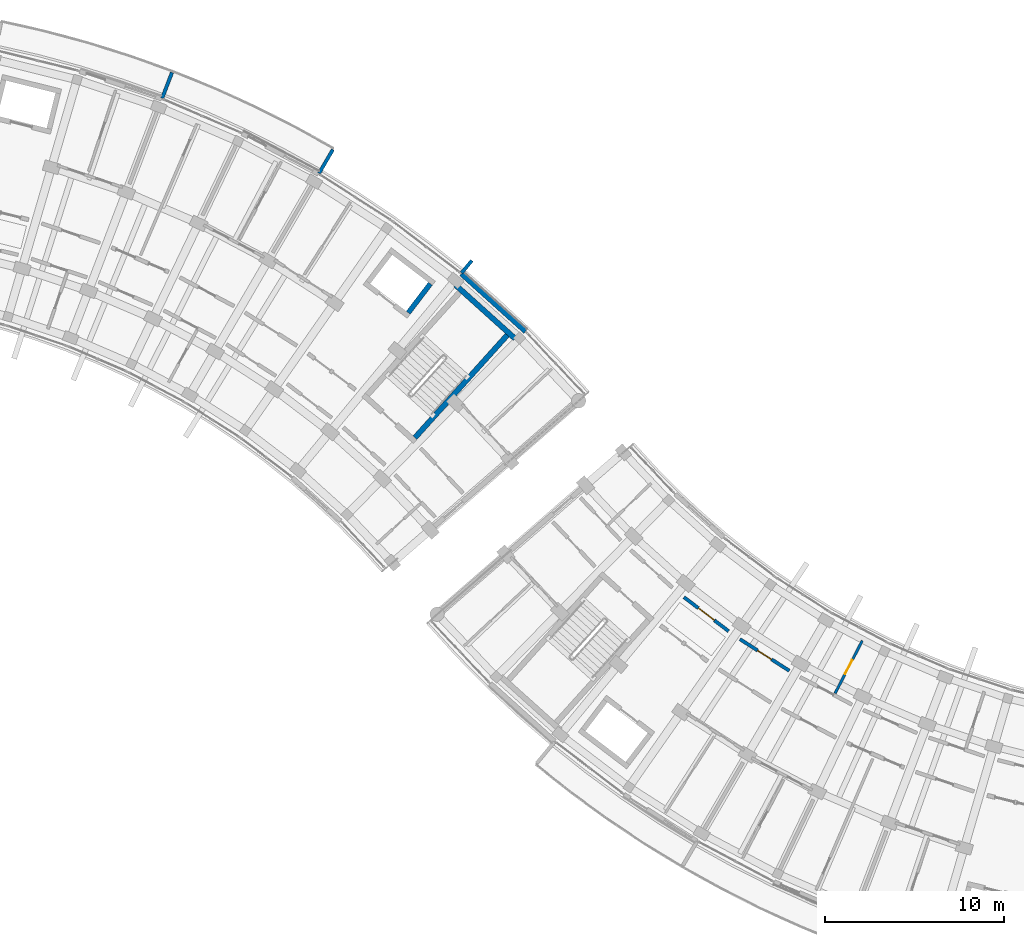
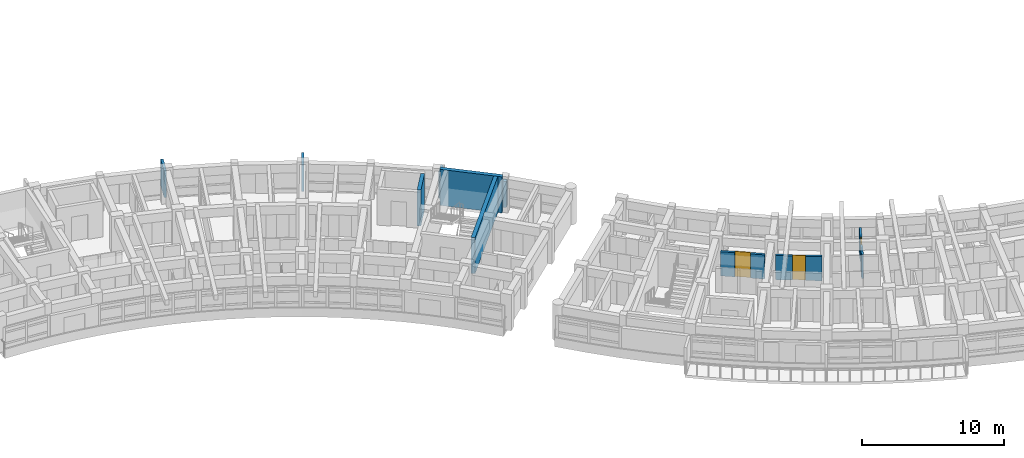
# One storey, part 51 of 70: 10 walls, 3 doors, 3 openings.
"""IFC4 building model written with IfcOpenShell, lengths in metres."""

from ifc_helpers import new_model, si_unit, direction, frame, frame_2d, origin, place, context, subcontext, project, spatial, rectangle, extrude, material, layer, layer_set, type_object, element, fill, save


model = new_model("IFC4")

# Units and contexts
model_context = context("Model", 3, precision=1e-05, world=origin(), true_north=direction((0.0, 1.0)))
body_context = subcontext(model_context, "Body", "Model", "MODEL_VIEW")
ifc_project = project(units=[si_unit("LENGTHUNIT", "METRE"), si_unit("AREAUNIT", "SQUARE_METRE"), si_unit("VOLUMEUNIT", "CUBIC_METRE"), si_unit("PLANEANGLEUNIT", "RADIAN"), si_unit("MASSUNIT", "GRAM", prefix="KILO")], contexts=[model_context])

# Site, building, storey
site_placement = place(None, origin())
site = spatial("IfcSite", under=ifc_project, at=site_placement, CompositionType="ELEMENT")
building_placement = place(site_placement, origin())
building = spatial("IfcBuilding", under=site, at=building_placement, Name="Zimvara Arc Housing Community", CompositionType="ELEMENT")
storey_placement = place(building_placement, frame((0.0, 0.0, 8.10009765625)))
storey = spatial("IfcBuildingStorey", under=building, at=storey_placement, Name="L02", CompositionType="ELEMENT", Elevation=8.10009765625)

# Walls
ifc_material_1 = material(Name="Board-Marked Fair-Faced Concrete C35/45", Category="concrete")
ifc_layer_1 = layer(ifc_material_1, 0.195068359375)
ifc_layer_set_1 = layer_set([ifc_layer_1], Name="Board-Marked Fair-Faced Concrete C35/45")
wall_type_1 = type_object("IfcWallType", Name="EWL-PARA-195", PredefinedType="PARAPET", material=ifc_layer_set_1)
for number, where, z_axis, x_axis, name in (
    (1, (66.216796875, 100.0029296875, 0.0), (0.0, 0.0, 1.0), (0.356957296461, 0.934120703391, 0.0), "finwall:blkB:L02:out:b4"),
    (2, (74.961181640625, 95.8134765625, 0.0), (0.0, 0.0, 1.0), (0.504228145431, 0.863570481985, 0.0), "finwall:blkB:L02:out:b6"),
):
    element("IfcWall", number, at=place(storey_placement, frame(where, z_axis=z_axis, x_axis=x_axis)), inside=storey, type_object=wall_type_1, Name=name, PredefinedType="PARAPET", context=body_context, shape_type="SweptSolid", body=[
        extrude(rectangle(XDim=1.530029296875, YDim=0.195068359375, at=frame_2d((0.76513671875, 0.0))), origin(), (0.0, 0.0, 1.0), 2.25),
    ])
wall_1_placement = place(storey_placement, frame((82.90771484375, 90.25732421875, 0.0), z_axis=(0.0, 0.0, 1.0), x_axis=(0.637967316825, 0.770063440674, 0.0)))
element("IfcWall", 3, at=wall_1_placement, inside=storey, type_object=wall_type_1, Name="finwall:blkB:L02:out:b8", PredefinedType="PARAPET", context=body_context, shape_type="SweptSolid", body=[
    extrude(rectangle(XDim=0.900146484375, YDim=0.195068359375, at=frame_2d((0.4501953125, 0.0))), origin(), (0.0, 0.0, 1.0), 2.25),
])
ifc_material_2 = material(Name="Board-Marked Fair-Faced Concrete C35/45", Category="concrete")
ifc_layer_2 = layer(ifc_material_2, 0.281982421875)
ifc_layer_set_2 = layer_set([ifc_layer_2], Name="Board-Marked Fair-Faced Concrete C35/45")
wall_type_2 = type_object("IfcWallType", Name="EWL-VAR-24", PredefinedType="SOLIDWALL", material=ifc_layer_set_2)
wall_2_placement = place(storey_placement, frame((82.89697265625, 90.21337890625, 0.0), z_axis=(0.0, 0.0, 1.0), x_axis=(0.743387539862, -0.668860946369, 0.0)))
element("IfcWall", 4, at=wall_2_placement, inside=storey, type_object=wall_type_2, Name="ewall:blkB:L02:out:b8", PredefinedType="SOLIDWALL", context=body_context, shape_type="SweptSolid", body=[
    extrude(rectangle(XDim=4.80908203125, YDim=0.281982421875, at=frame_2d((2.404541015625, 0.0))), origin(), (0.0, 0.0, 1.0), 2.25),
])

# Wall, opening, door
ifc_material_3 = material(Name="Concrete C35/45", Category="concrete")
ifc_layer_3 = layer(ifc_material_3, 0.18994140625)
ifc_layer_set_3 = layer_set([ifc_layer_3], Name="Concrete C35/45")
wall_type_3 = type_object("IfcWallType", Name="IWL-CORR-190", PredefinedType="SOLIDWALL", material=ifc_layer_set_3)
wall_3_placement = place(storey_placement, frame((95.30908203125, 72.18017578125, 0.0), z_axis=(0.0, 0.0, 1.0), x_axis=(0.795463961918, -0.606000895453, 0.0)))
wall_3 = element("IfcWall", 5, at=wall_3_placement, inside=storey, type_object=wall_type_3, Name="iwall:blkC:L02:ra_div:b2", PredefinedType="SOLIDWALL", context=body_context, shape_type="SweptSolid", body=[
    extrude(rectangle(XDim=3.128662109375, YDim=0.18994140625, at=frame_2d((1.564453125, 0.0))), origin(), (0.0, 0.0, 1.0), 2.079833984375),
])
opening_1_placement = place(wall_3_placement, frame((1.00439453125, 0.0, 0.0)))
opening_1 = element("IfcOpeningElement", 6, at=opening_1_placement, cuts=wall_3, Name="Opening D07", PredefinedType="OPENING", context=body_context, shape_type="SweptSolid", body=[
    extrude(rectangle(XDim=1.1201171875, YDim=2.14990234375, at=frame_2d((0.56005859375, 1.074951171875))), frame((0.0, 0.10498046875, 0.0), z_axis=(0.0, -1.0, 0.0), x_axis=(1.0, 0.0, 0.0)), (0.0, 0.0, 1.0), 0.2099609375),
])
ifc_material_4 = material(Name="Mozambican Hardwood", Category="wood")
door_type_1 = type_object("IfcDoorType", Name="IDR-AMN-1120x2150", OperationType="NOTDEFINED", PredefinedType="DOOR", material=ifc_material_4)
door_1_placement = place(opening_1_placement, origin())
door_1 = element("IfcDoor", 7, at=door_1_placement, inside=storey, type_object=door_type_1, Name="idoor:blkC:L02:ra_d:b2", OperationType="SINGLE_SWING_RIGHT", OverallHeight=2.14990234375, OverallWidth=1.1201171875, PredefinedType="DOOR", context=body_context, shape_type="SweptSolid", body=[
    extrude(rectangle(XDim=1.1201171875, YDim=2.14990234375, at=frame_2d((0.56005859375, 1.074951171875))), frame((0.0, 0.02490234375, 0.0), z_axis=(0.0, -1.0, 0.0), x_axis=(1.0, 0.0, 0.0)), (0.0, 0.0, 1.0), 0.050048828125),
])
fill(opening_1, door_1)

wall_4_placement = place(storey_placement, frame((98.4267578125, 69.841064453125, 0.0), z_axis=(0.0, 0.0, 1.0), x_axis=(0.842280895761, -0.539038860043, 0.0)))
wall_4 = element("IfcWall", 8, at=wall_4_placement, inside=storey, type_object=wall_type_3, Name="iwall:blkC:L02:corr_in:b3", PredefinedType="SOLIDWALL", context=body_context, shape_type="SweptSolid", body=[
    extrude(rectangle(XDim=3.268798828125, YDim=0.18994140625, at=frame_2d((1.63427734375, 0.0))), origin(), (0.0, 0.0, 1.0), 2.079833984375),
])
opening_2_placement = place(wall_4_placement, frame((1.17431640625, 0.0, 0.0)))
opening_2 = element("IfcOpeningElement", 9, at=opening_2_placement, cuts=wall_4, Name="Opening D02", PredefinedType="OPENING", context=body_context, shape_type="SweptSolid", body=[
    extrude(rectangle(XDim=0.919921875, YDim=2.10009765625, at=frame_2d((0.4599609375, 1.050048828125))), frame((0.0, 0.10498046875, 0.0), z_axis=(0.0, -1.0, 0.0), x_axis=(1.0, 0.0, 0.0)), (0.0, 0.0, 1.0), 0.2099609375),
])
ifc_material_5 = material(Name="Mozambican Hardwood", Category="wood")
door_type_2 = type_object("IfcDoorType", Name="IDR-RM-0920x2100", OperationType="NOTDEFINED", PredefinedType="DOOR", material=ifc_material_5)
door_2_placement = place(opening_2_placement, origin())
door_2 = element("IfcDoor", 10, at=door_2_placement, inside=storey, type_object=door_type_2, Name="idoor:blkC:L02:in_rm:b3", OperationType="SINGLE_SWING_RIGHT", OverallHeight=2.10009765625, OverallWidth=0.919921875, PredefinedType="DOOR", context=body_context, shape_type="SweptSolid", body=[
    extrude(rectangle(XDim=0.919921875, YDim=2.10009765625, at=frame_2d((0.4599609375, 1.050048828125))), frame((0.0, 0.02490234375, 0.0), z_axis=(0.0, -1.0, 0.0), x_axis=(1.0, 0.0, 0.0)), (0.0, 0.0, 1.0), 0.050048828125),
])
fill(opening_2, door_2)

ifc_material_6 = material(Name="Painted Acoustic Plasterboard")
ifc_layer_4 = layer(ifc_material_6, 0.14501953125)
ifc_layer_set_4 = layer_set([ifc_layer_4], Name="Painted Acoustic Plasterboard")
wall_type_4 = type_object("IfcWallType", Name="IWL-WET-145", PredefinedType="PARTITIONING", material=ifc_layer_set_4)
wall_5_placement = place(storey_placement, frame((105.247314453125, 69.751708984375, 0.0), z_axis=(0.0, 0.0, 1.0), x_axis=(-0.459187433099, -0.888339406581, 0.0)))
wall_5 = element("IfcWall", 11, at=wall_5_placement, inside=storey, type_object=wall_type_4, Name="iwall:blkC:L02:ens:b4", PredefinedType="PARTITIONING", context=body_context, shape_type="SweptSolid", body=[
    extrude(rectangle(XDim=3.300048828125, YDim=0.14501953125, at=frame_2d((1.64990234375, 0.0))), origin(), (0.0, 0.0, 1.0), 2.079833984375),
])
opening_3_placement = place(wall_5_placement, frame((1.2099609375, 0.0, 0.0)))
opening_3 = element("IfcOpeningElement", 12, at=opening_3_placement, cuts=wall_5, Name="Opening D05", PredefinedType="OPENING", context=body_context, shape_type="SweptSolid", body=[
    extrude(rectangle(XDim=0.8798828125, YDim=2.10009765625, at=frame_2d((0.43994140625, 1.050048828125))), frame((0.0, 0.08251953125, 0.0), z_axis=(0.0, -1.0, 0.0), x_axis=(1.0, 0.0, 0.0)), (0.0, 0.0, 1.0), 0.1650390625),
])
ifc_material_7 = material(Name="Mozambican Hardwood", Category="wood")
door_type_3 = type_object("IfcDoorType", Name="IDR-WC-0880x2100", OperationType="NOTDEFINED", PredefinedType="DOOR", material=ifc_material_7)
door_3_placement = place(opening_3_placement, origin())
door_3 = element("IfcDoor", 13, at=door_3_placement, inside=storey, type_object=door_type_3, Name="idoor:blkC:L02:ens_d:b4", OperationType="SINGLE_SWING_RIGHT", OverallHeight=2.10009765625, OverallWidth=0.8798828125, PredefinedType="DOOR", context=body_context, shape_type="SweptSolid", body=[
    extrude(rectangle(XDim=0.8798828125, YDim=2.10009765625, at=frame_2d((0.43994140625, 1.050048828125))), frame((0.0, 0.02490234375, 0.0), z_axis=(0.0, -1.0, 0.0), x_axis=(1.0, 0.0, 0.0)), (0.0, 0.0, 1.0), 0.050048828125),
])
fill(opening_3, door_3)

# Walls
ifc_material_8 = material(Name="Concrete C40/50", Category="concrete")
ifc_layer_5 = layer(ifc_material_8, 0.280029296875)
ifc_layer_set_5 = layer_set([ifc_layer_5], Name="Concrete C40/50")
wall_type_5 = type_object("IfcWallType", Name="WL-CORE-280", PredefinedType="SHEAR", material=ifc_layer_set_5)
wall_6_placement = place(storey_placement, frame((79.934814453125, 88.0400390625, 0.0), z_axis=(0.0, 0.0, 1.0), x_axis=(0.606025097418, 0.795445523779, 0.0)))
element("IfcWall", 14, at=wall_6_placement, inside=storey, type_object=wall_type_5, Name="lwall:LP-B2:L02:left", PredefinedType="SHEAR", context=body_context, shape_type="SweptSolid", body=[
    extrude(rectangle(XDim=2.030029296875, YDim=0.280029296875, at=frame_2d((1.01513671875, 0.0))), origin(), (0.0, 0.0, 1.0), 3.099853515625),
])
ifc_material_9 = material(Name="Concrete C40/50", Category="concrete")
ifc_layer_6 = layer(ifc_material_9, 0.300048828125)
ifc_layer_set_6 = layer_set([ifc_layer_6], Name="Concrete C40/50")
wall_type_6 = type_object("IfcWallType", Name="WL-CORE-300", PredefinedType="SHEAR", material=ifc_layer_set_6)
wall_7_placement = place(storey_placement, frame((85.887451171875, 86.6005859375, 0.0), z_axis=(0.0, 0.0, 1.0), x_axis=(-0.743400052815, 0.668847038922, 0.0)))
element("IfcWall", 15, at=wall_7_placement, inside=storey, type_object=wall_type_6, Name="cwall:ST-B2:L02:far", PredefinedType="SHEAR", context=body_context, shape_type="SweptSolid", body=[
    extrude(rectangle(XDim=4.469970703125, YDim=0.300048828125, at=frame_2d((2.23486328125, 0.0))), origin(), (0.0, 0.0, 1.0), 3.099853515625),
])
wall_8_placement = place(storey_placement, frame((80.308837890625, 81.073486328125, 0.0), z_axis=(0.0, 0.0, 1.0), x_axis=(0.668885797871, 0.743365179038, 0.0)))
element("IfcWall", 16, at=wall_8_placement, inside=storey, type_object=wall_type_6, Name="cwall:ST-B2:L02:left", PredefinedType="SHEAR", context=body_context, shape_type="SweptSolid", body=[
    extrude(rectangle(XDim=7.690185546875, YDim=0.300048828125, at=frame_2d((3.84521484375, 0.0))), origin(), (0.0, 0.0, 1.0), 3.099853515625),
])

save(model, "model.ifc")
